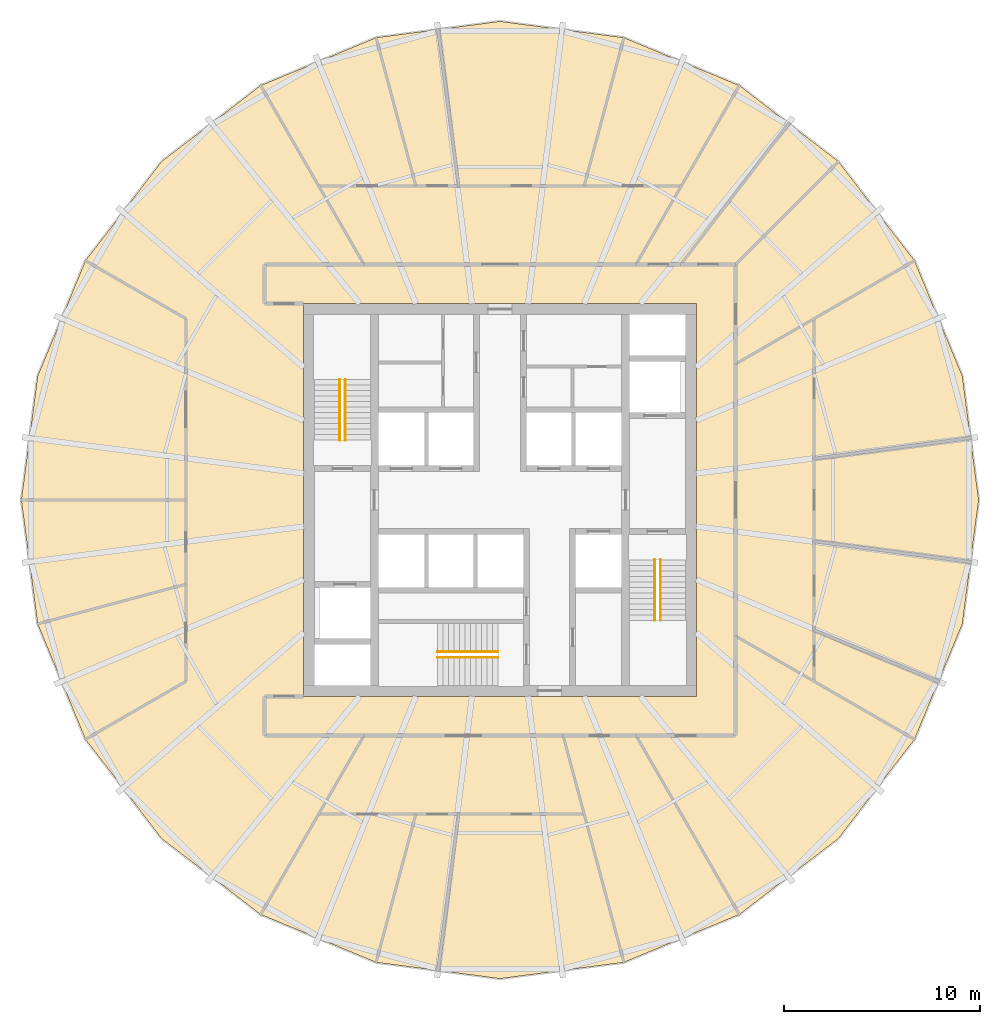
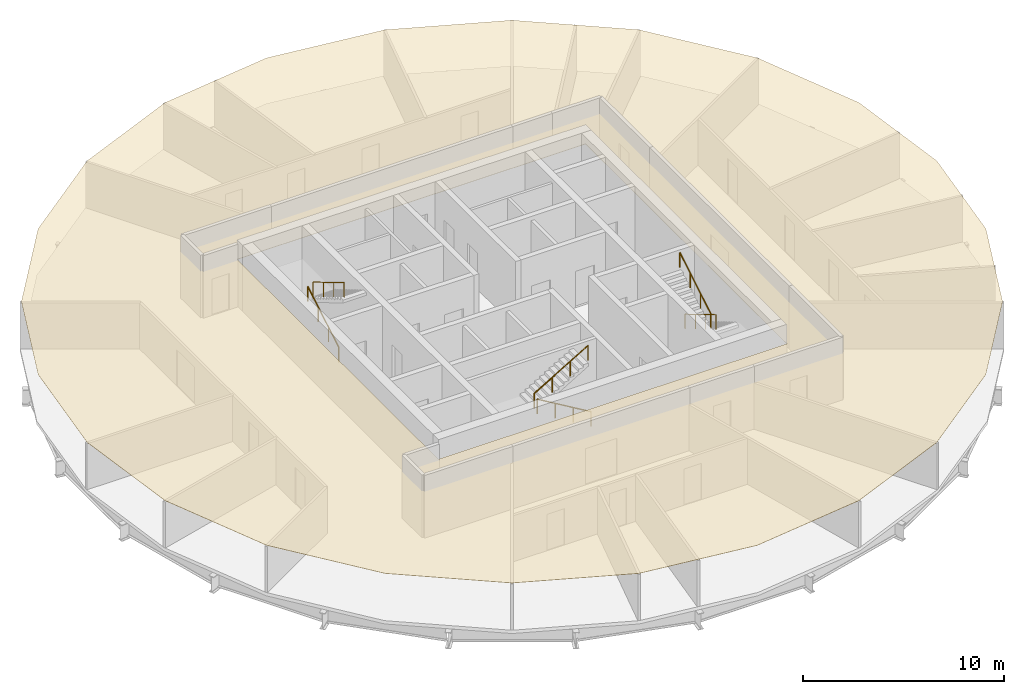
# One storey, part 6 of 6: 6 railings, 1 covering.
"""IFC4 building model written with IfcOpenShell, lengths in metres."""

import ifcopenshell
import ifcopenshell.guid

model = None  # the IFC model being written
_history = None  # IfcOwnerHistory: only IFC2X3 demands one
_inside = {}  # id of a spatial element -> (the spatial element, [elements in it])
_under = {}  # id of a project, library or spatial element -> (it, [spatial elements below it])
_declared = {}  # id of a project -> (the project, [libraries it declares])
_typed = {}  # id of a type object -> (the type object, [elements of that type])
_made_of = {}  # id of a material, layer set ... -> (it, [elements and type objects made of it])


def new_model(schema):
    """Start an empty IFC model of exactly this schema.

    Asked for "IFC4X3", IfcOpenShell would pick the latest addendum, in which some entities
    have other attributes; the version numbers below select the first issue.
    IFC2X3 requires an IfcOwnerHistory on every rooted entity: one is made here for all.
    """
    global model, _history
    if schema == "IFC4X3":
        model = ifcopenshell.file(schema_version=(4, 3, 0, 0))
    else:
        model = ifcopenshell.file(schema=schema)
    _inside.clear()
    _under.clear()
    _declared.clear()
    _typed.clear()
    _made_of.clear()
    _history = None
    if model.schema == "IFC2X3":
        org = make("IfcOrganization", Name="unknown")
        user = make(
            "IfcPersonAndOrganization",
            ThePerson=make("IfcPerson", FamilyName="unknown"),
            TheOrganization=org,
        )
        app = make(
            "IfcApplication",
            ApplicationDeveloper=org,
            Version="unknown",
            ApplicationFullName="unknown",
            ApplicationIdentifier="unknown",
        )
        _history = make(
            "IfcOwnerHistory",
            OwningUser=user,
            OwningApplication=app,
            ChangeAction="ADDED",
            CreationDate=0,
        )
    return model


def make(cls, **values):
    """One entity of the class cls with the attributes given. An attribute that is None is left unset."""
    return model.create_entity(
        cls, **{name: value for name, value in values.items() if value is not None}
    )


def rooted(cls, **values):
    """An entity with a GlobalId (a new one), such as an element, a storey or a relation."""
    return make(cls, GlobalId=ifcopenshell.guid.new(), OwnerHistory=_history, **values)


def si_unit(unit_type, name, prefix=None):
    """IfcSIUnit, for example si_unit("LENGTHUNIT", "METRE", prefix="MILLI")."""
    return make("IfcSIUnit", UnitType=unit_type, Prefix=prefix, Name=name)


def assignment(units):
    """IfcUnitAssignment: the units of a project."""
    return None if units is None else make("IfcUnitAssignment", Units=units)


def point(xyz):
    """IfcCartesianPoint."""
    return None if xyz is None else make("IfcCartesianPoint", Coordinates=xyz)


def direction(xyz):
    """IfcDirection."""
    return None if xyz is None else make("IfcDirection", DirectionRatios=xyz)


def frame(location, z_axis=None, x_axis=None):
    """IfcAxis2Placement3D, a coordinate frame: its origin and axes. An axis left out is left unset."""
    return make(
        "IfcAxis2Placement3D",
        Location=point(location),
        Axis=direction(z_axis),
        RefDirection=direction(x_axis),
    )


def frame_2d(location, x_axis=None):
    """IfcAxis2Placement2D, a coordinate frame in the plane: its origin and x axis."""
    return make(
        "IfcAxis2Placement2D", Location=point(location), RefDirection=direction(x_axis)
    )


def origin():
    """The frame at (0, 0, 0) with its axes left unset."""
    return frame((0.0, 0.0, 0.0))


def origin_2d():
    """The frame at (0, 0) in the plane with its x axis left unset."""
    return frame_2d((0.0, 0.0))


def place(relative_to, where):
    """IfcLocalPlacement: puts the frame where relative to a parent placement (None: the world)."""
    return make(
        "IfcLocalPlacement", PlacementRelTo=relative_to, RelativePlacement=where
    )


def context(
    kind, dimensions, precision=None, world=None, true_north=None, identifier=None
):
    """IfcGeometricRepresentationContext, for example the 3D "Model" context."""
    return make(
        "IfcGeometricRepresentationContext",
        ContextIdentifier=identifier,
        ContextType=kind,
        CoordinateSpaceDimension=dimensions,
        Precision=precision,
        WorldCoordinateSystem=world,
        TrueNorth=true_north,
    )


def subcontext(parent, identifier, kind, view, scale=None):
    """IfcGeometricRepresentationSubContext, for example "Body" below "Model"."""
    return make(
        "IfcGeometricRepresentationSubContext",
        ContextIdentifier=identifier,
        ContextType=kind,
        ParentContext=parent,
        TargetScale=scale,
        TargetView=view,
    )


def project(units=None, contexts=None):
    """IfcProject with its units and contexts."""
    return rooted(
        "IfcProject",
        Name="project",
        RepresentationContexts=contexts,
        UnitsInContext=assignment(units),
    )


def spatial(cls, under=None, at=None, **own):
    """A site, building, storey or space (cls), placed at a placement, below another one or the project."""
    s = rooted(cls, ObjectPlacement=at, **own)
    if under is not None:
        _under.setdefault(under.id(), (under, []))[1].append(s)
    return s


def polyline(points):
    """IfcPolyline through the points."""
    return make("IfcPolyline", Points=[point(p) for p in points])


def profile(cls, at=None, kind="AREA", **sizes):
    """A parametric profile (cls). Its sizes go by their IFC names, for example OverallWidth=200.0."""
    return make(cls, ProfileType=kind, Position=at, **sizes)


def circle(**sizes):
    """IfcCircleProfileDef."""
    return profile("IfcCircleProfileDef", **sizes)


def outline(outer, holes=None, kind="AREA"):
    """IfcArbitraryClosedProfileDef: a profile drawn as a closed curve; with holes, ...WithVoids."""
    if holes is None:
        return make("IfcArbitraryClosedProfileDef", ProfileType=kind, OuterCurve=outer)
    return make(
        "IfcArbitraryProfileDefWithVoids",
        ProfileType=kind,
        OuterCurve=outer,
        InnerCurves=holes,
    )


def extrude(swept, where, along, depth):
    """IfcExtrudedAreaSolid: the profile swept, set in the frame where, extruded along a direction by depth."""
    return make(
        "IfcExtrudedAreaSolid",
        SweptArea=swept,
        Position=where,
        ExtrudedDirection=direction(along),
        Depth=depth,
    )


def shape(context_of_items, identifier, shape_type, items):
    """IfcShapeRepresentation: the items that make up one representation, for example the "Body"."""
    return make(
        "IfcShapeRepresentation",
        ContextOfItems=context_of_items,
        RepresentationIdentifier=identifier,
        RepresentationType=shape_type,
        Items=items,
    )


def material(Name=None, Category=None):
    """IfcMaterial."""
    return make("IfcMaterial", Name=Name, Category=Category)


def layer(
    of_material, thickness, ventilated=None, Name=None, Category=None, Priority=None
):
    """IfcMaterialLayer: one layer of a wall or slab, of a material (None: an air gap)."""
    return make(
        "IfcMaterialLayer",
        Material=of_material,
        LayerThickness=thickness,
        IsVentilated=ventilated,
        Name=Name,
        Category=Category,
        Priority=Priority,
    )


def layer_set(layers, Name=None):
    """IfcMaterialLayerSet."""
    return make("IfcMaterialLayerSet", MaterialLayers=layers, LayerSetName=Name)


def made_of(thing, what):
    """Note that an element or type object is made of a material, layer set ...; save() writes the relation."""
    if what is not None:
        _made_of.setdefault(what.id(), (what, []))[1].append(thing)
    return thing


def type_object(cls, material=None, **own):
    """A type object (cls), such as IfcWallType, which elements share."""
    return made_of(rooted(cls, **own), material)


def element(
    cls,
    number,
    at=None,
    inside=None,
    cuts=None,
    type_object=None,
    material=None,
    context=None,
    identifier="Body",
    shape_type=None,
    held_by="IfcProductDefinitionShape",
    body=None,
    shapes=None,
    **own,
):
    """One element of the class cls, such as IfcWall. Its Tag is "e" and its number.

    at: its placement. inside: the storey or other place that contains it. cuts: it is an
    opening in that element (IfcRelVoidsElement). A single representation is given by context,
    identifier, shape_type and body (its items); several are given by shapes. held_by: the class
    of the entity that holds the representations. save() writes the other relations.
    """
    e = rooted(cls, Tag="e%d" % number, ObjectPlacement=at, **own)
    if body is not None:
        shapes = [shape(context, identifier, shape_type, body)]
    if shapes is not None:
        e.Representation = make(held_by, Representations=shapes)
    if inside is not None:
        _inside.setdefault(inside.id(), (inside, []))[1].append(e)
    if cuts is not None:
        rooted(
            "IfcRelVoidsElement", RelatingBuildingElement=cuts, RelatedOpeningElement=e
        )
    if type_object is not None:
        _typed.setdefault(type_object.id(), (type_object, []))[1].append(e)
    return made_of(e, material)


def aggregate(whole, parts):
    """IfcRelAggregates: a whole, such as a stair, and the parts it consists of."""
    return rooted("IfcRelAggregates", RelatingObject=whole, RelatedObjects=parts)


def save(model, path):
    """Write the relations noted so far, then the file.

    IfcRelAggregates (storeys below a building ...), IfcRelContainedInSpatialStructure (elements
    in a storey), IfcRelDefinesByType, IfcRelAssociatesMaterial and IfcRelDeclares: one each for
    every whole, place, type object, material and project.
    """
    for whole, parts in _under.values():
        aggregate(whole, parts)
    for where, things in _inside.values():
        rooted(
            "IfcRelContainedInSpatialStructure",
            RelatedElements=things,
            RelatingStructure=where,
        )
    for kind, things in _typed.values():
        rooted("IfcRelDefinesByType", RelatedObjects=things, RelatingType=kind)
    for what, things in _made_of.values():
        rooted("IfcRelAssociatesMaterial", RelatedObjects=things, RelatingMaterial=what)
    for by, libraries in _declared.values():
        rooted("IfcRelDeclares", RelatingContext=by, RelatedDefinitions=libraries)
    model.write(path)


model = new_model("IFC4")

# Units and contexts
model_context = context("Model", 3, precision=1e-05, world=origin(), true_north=direction((0.0, 1.0)))
body_context = subcontext(model_context, "Body", "Model", "MODEL_VIEW")
ifc_project = project(units=[si_unit("LENGTHUNIT", "METRE"), si_unit("AREAUNIT", "SQUARE_METRE"), si_unit("VOLUMEUNIT", "CUBIC_METRE"), si_unit("PLANEANGLEUNIT", "RADIAN"), si_unit("MASSUNIT", "GRAM", prefix="KILO")], contexts=[model_context])

# Site, building, storey
site_placement = place(None, origin())
site = spatial("IfcSite", under=ifc_project, at=site_placement, CompositionType="ELEMENT")
building_placement = place(site_placement, origin())
building = spatial("IfcBuilding", under=site, at=building_placement, Name="Golbaran Civic Tower", CompositionType="ELEMENT")
storey_placement = place(building_placement, frame((0.0, 0.0, 126.0)))
storey = spatial("IfcBuildingStorey", under=building, at=storey_placement, Name="L30", CompositionType="ELEMENT", Elevation=126.0)

# Railings
ifc_material_1 = material(Name="Stainless steel", Category="steel")
railing_type = type_object("IfcRailingType", Name="STAIR HANDRAIL 900", PredefinedType="HANDRAIL", material=ifc_material_1)
railing_1_placement = place(storey_placement, frame((-8.175048828125, 3.050048828125, 0.166748046875)))
element("IfcRailing", 1, at=railing_1_placement, inside=storey, type_object=railing_type, Name="Stair S1 handrail flight 1 L30", PredefinedType="HANDRAIL", context=body_context, shape_type="SweptSolid", body=[
    extrude(circle(Radius=0.02392578125, at=origin_2d()), frame((0.0, 0.0, 0.8759765625), z_axis=(0.0, 0.859290745958, 0.51148745235), x_axis=(-1.0, 0.0, 0.0)), (0.0, 0.0, 1.0), 3.584228515625),
    extrude(circle(Radius=0.02099609375, at=origin_2d()), origin(), (0.0, 0.0, 1.0), 0.851806640625),
    extrude(circle(Radius=0.02099609375, at=origin_2d()), frame((0.0, 1.026611328125, 0.611083984375)), (0.0, 0.0, 1.0), 0.851806640625),
    extrude(circle(Radius=0.02099609375, at=origin_2d()), frame((0.0, 2.05322265625, 1.22216796875)), (0.0, 0.0, 1.0), 0.851806640625),
    extrude(circle(Radius=0.02099609375, at=origin_2d()), frame((0.0, 3.079833984375, 1.833251953125)), (0.0, 0.0, 1.0), 0.851806640625),
])
for number, where, name in (
    (2, (-7.875, 6.1298828125, 2.166748046875), "Stair S1 handrail flight 2 L30"),
    (3, (8.175048828125, -3.050048828125, 0.166748046875), "Stair S2 handrail flight 1 L30"),
):
    element("IfcRailing", number, at=place(storey_placement, frame(where)), inside=storey, type_object=railing_type, Name=name, PredefinedType="HANDRAIL", context=body_context, shape_type="SweptSolid", body=[
        extrude(circle(Radius=0.02392578125, at=origin_2d()), frame((0.0, 0.0, 0.8759765625), z_axis=(0.0, -0.859290745958, 0.51148745235), x_axis=(1.0, 0.0, 0.0)), (0.0, 0.0, 1.0), 3.584228515625),
        extrude(circle(Radius=0.02099609375, at=origin_2d()), origin(), (0.0, 0.0, 1.0), 0.851806640625),
        extrude(circle(Radius=0.02099609375, at=origin_2d()), frame((0.0, -1.026611328125, 0.611083984375)), (0.0, 0.0, 1.0), 0.851806640625),
        extrude(circle(Radius=0.02099609375, at=origin_2d()), frame((0.0, -2.05322265625, 1.22216796875)), (0.0, 0.0, 1.0), 0.851806640625),
        extrude(circle(Radius=0.02099609375, at=origin_2d()), frame((0.0, -3.079833984375, 1.833251953125)), (0.0, 0.0, 1.0), 0.851806640625),
    ])
railing_2_placement = place(storey_placement, frame((7.875, -6.1298828125, 2.166748046875)))
element("IfcRailing", 4, at=railing_2_placement, inside=storey, type_object=railing_type, Name="Stair S2 handrail flight 2 L30", PredefinedType="HANDRAIL", context=body_context, shape_type="SweptSolid", body=[
    extrude(circle(Radius=0.02392578125, at=origin_2d()), frame((0.0, 0.0, 0.8759765625), z_axis=(0.0, 0.859290745958, 0.51148745235), x_axis=(-1.0, 0.0, 0.0)), (0.0, 0.0, 1.0), 3.584228515625),
    extrude(circle(Radius=0.02099609375, at=origin_2d()), origin(), (0.0, 0.0, 1.0), 0.851806640625),
    extrude(circle(Radius=0.02099609375, at=origin_2d()), frame((0.0, 1.026611328125, 0.611083984375)), (0.0, 0.0, 1.0), 0.851806640625),
    extrude(circle(Radius=0.02099609375, at=origin_2d()), frame((0.0, 2.05322265625, 1.22216796875)), (0.0, 0.0, 1.0), 0.851806640625),
    extrude(circle(Radius=0.02099609375, at=origin_2d()), frame((0.0, 3.079833984375, 1.833251953125)), (0.0, 0.0, 1.0), 0.851806640625),
])
railing_3_placement = place(storey_placement, frame((-0.10009765625, -8.02490234375, 0.166748046875)))
element("IfcRailing", 5, at=railing_3_placement, inside=storey, type_object=railing_type, Name="Stair S3 handrail flight 1 L30", PredefinedType="HANDRAIL", context=body_context, shape_type="SweptSolid", body=[
    extrude(circle(Radius=0.02392578125, at=origin_2d()), frame((0.0, 0.0, 0.8759765625), z_axis=(-0.859290745958, 0.0, 0.51148745235), x_axis=(0.0, -1.0, 0.0)), (0.0, 0.0, 1.0), 3.584228515625),
    extrude(circle(Radius=0.02099609375, at=origin_2d()), origin(), (0.0, 0.0, 1.0), 0.851806640625),
    extrude(circle(Radius=0.02099609375, at=origin_2d()), frame((-1.026611328125, 0.0, 0.611083984375)), (0.0, 0.0, 1.0), 0.851806640625),
    extrude(circle(Radius=0.02099609375, at=origin_2d()), frame((-2.05322265625, 0.0, 1.22216796875)), (0.0, 0.0, 1.0), 0.851806640625),
    extrude(circle(Radius=0.02099609375, at=origin_2d()), frame((-3.079833984375, 0.0, 1.833251953125)), (0.0, 0.0, 1.0), 0.851806640625),
])
railing_4_placement = place(storey_placement, frame((-3.179931640625, -7.72509765625, 2.166748046875)))
element("IfcRailing", 6, at=railing_4_placement, inside=storey, type_object=railing_type, Name="Stair S3 handrail flight 2 L30", PredefinedType="HANDRAIL", context=body_context, shape_type="SweptSolid", body=[
    extrude(circle(Radius=0.02392578125, at=origin_2d()), frame((0.0, 0.0, 0.8759765625), z_axis=(0.859290745958, 0.0, 0.51148745235), x_axis=(0.0, 1.0, 0.0)), (0.0, 0.0, 1.0), 3.584228515625),
    extrude(circle(Radius=0.02099609375, at=origin_2d()), origin(), (0.0, 0.0, 1.0), 0.851806640625),
    extrude(circle(Radius=0.02099609375, at=origin_2d()), frame((1.026611328125, 0.0, 0.611083984375)), (0.0, 0.0, 1.0), 0.851806640625),
    extrude(circle(Radius=0.02099609375, at=origin_2d()), frame((2.05322265625, 0.0, 1.22216796875)), (0.0, 0.0, 1.0), 0.851806640625),
    extrude(circle(Radius=0.02099609375, at=origin_2d()), frame((3.079833984375, 0.0, 1.833251953125)), (0.0, 0.0, 1.0), 0.851806640625),
])

# Covering
ifc_material_2 = material(Name="Mineral fibre tile on steel grid", Category="steel")
ifc_layer = layer(ifc_material_2, 0.02001953125, Name="Mineral fibre tile on steel grid")
ifc_layer_set = layer_set([ifc_layer], Name="Mineral fibre tile on steel grid")
covering_type = type_object("IfcCoveringType", Name="SUSPENDED CEILING 600 TILE 20", PredefinedType="CEILING", material=ifc_layer_set)
covering_placement = place(storey_placement, frame((0.0, 0.0, 2.800048828125)))
element("IfcCovering", 7, at=covering_placement, inside=storey, type_object=covering_type, Name="Suspended ceiling L30", PredefinedType="CEILING", context=body_context, shape_type="SweptSolid", body=[
    extrude(outline(polyline([(-17.2421875, 17.2421875), (-12.19189453125, 21.1171875), (-6.31103515625, 23.55322265625), (0.0, 24.384033203125), (6.31103515625, 23.55322265625), (12.19189453125, 21.1171875), (17.2421875, 17.2421875), (21.1171875, 12.19189453125), (23.55322265625, 6.31103515625), (24.384033203125, 0.0), (23.948974609375, -3.30419921875), (23.55322265625, -6.31103515625), (21.1171875, -12.19189453125), (17.2421875, -17.2421875), (12.19189453125, -21.1171875), (6.31103515625, -23.55322265625), (0.0, -24.384033203125), (-3.30419921875, -23.948974609375), (-6.31103515625, -23.55322265625), (-12.19189453125, -21.1171875), (-17.2421875, -17.2421875), (-21.1171875, -12.19189453125), (-23.55322265625, -6.31103515625), (-24.384033203125, 0.0), (-23.55322265625, 6.31103515625), (-21.1171875, 12.19189453125), (-17.2421875, 17.2421875)]), holes=[polyline([(-10.0, 10.0), (-10.0, -10.0), (10.0, -10.0), (10.0, 10.0), (-10.0, 10.0)])]), origin(), (0.0, 0.0, 1.0), 0.02001953125),
])

save(model, "model.ifc")
